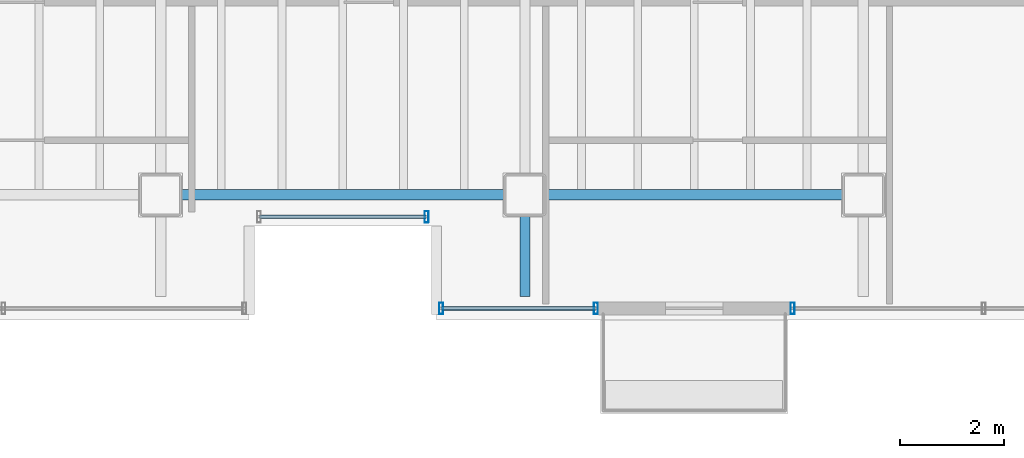
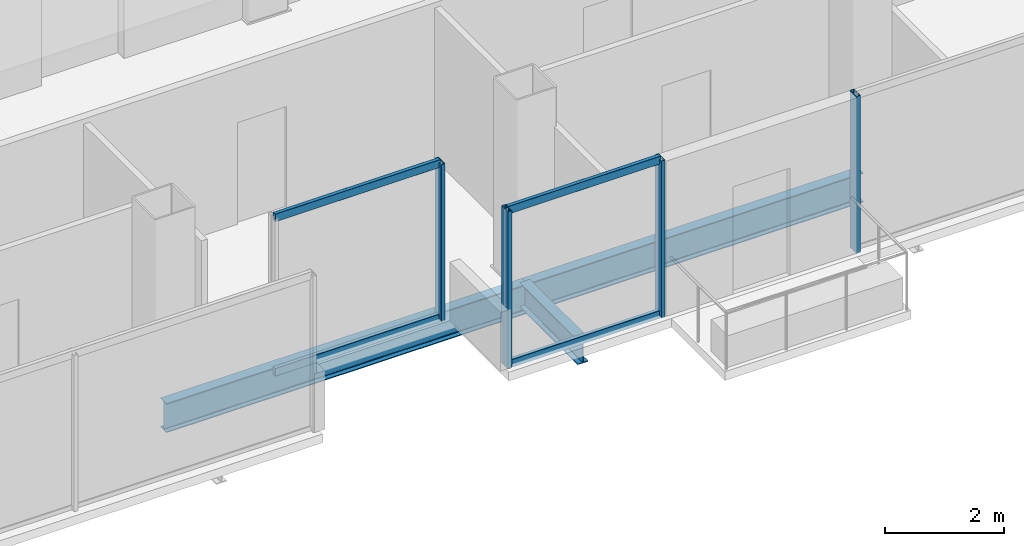
# One storey, part 6 of 17: 8 members, 3 beams, 3 elements without a shape of their own.
"""IFC4 building model written with IfcOpenShell, lengths in metres."""

from ifc_helpers import new_model, si_unit, direction, frame, origin, origin_2d, place, context, subcontext, project, spatial, hollow_rectangle, i_section, extrude, material, material_profile, profile_set, type_object, element, aggregate, save


model = new_model("IFC4")

# Units and contexts
model_context = context("Model", 3, precision=1e-05, world=origin(), true_north=direction((0.0, 1.0)))
body_context = subcontext(model_context, "Body", "Model", "MODEL_VIEW")
ifc_project = project(units=[si_unit("LENGTHUNIT", "METRE"), si_unit("AREAUNIT", "SQUARE_METRE"), si_unit("VOLUMEUNIT", "CUBIC_METRE"), si_unit("PLANEANGLEUNIT", "RADIAN"), si_unit("MASSUNIT", "GRAM", prefix="KILO")], contexts=[model_context])

# Site, building, storey
site_placement = place(None, origin())
site = spatial("IfcSite", under=ifc_project, at=site_placement, CompositionType="ELEMENT")
building_placement = place(site_placement, origin())
building = spatial("IfcBuilding", under=site, at=building_placement, Name="Noeulbin Bourse Tower", CompositionType="ELEMENT")
storey_placement = place(building_placement, frame((0.0, 0.0, 265.699951171875)))
storey = spatial("IfcBuildingStorey", under=building, at=storey_placement, Name="L66", CompositionType="ELEMENT", Elevation=265.699951171875)

# Beams
ifc_material_1 = material(Name="Steel S355", Category="steel")
ifc_material_profile_1 = material_profile(ifc_material_1, i_section(OverallWidth=0.199951171875, OverallDepth=0.5, WebThickness=0.010009765625, FlangeThickness=0.01611328125, FilletRadius=0.02001953125, at=origin_2d()), Name="H-500x200x10x16", Category="LoadBearing")
ifc_profile_set_1 = profile_set([ifc_material_profile_1], Name="Steel S355")
beam_type_1 = type_object("IfcBeamType", Name="BM-GRD-500", PredefinedType="USERDEFINED", material=ifc_profile_set_1)
beam_1_placement = place(storey_placement, frame((31.0, 18.050048828125, -0.429931640625), z_axis=(0.0, 1.0, 0.0), x_axis=(-1.0, 0.0, 0.0)))
element("IfcBeam", 1, at=beam_1_placement, inside=storey, type_object=beam_type_1, Name="Tower Primary Girder NS L66-3.1", ObjectType="GIRDER", PredefinedType="USERDEFINED", context=body_context, shape_type="SweptSolid", body=[
    extrude(i_section(OverallWidth=0.199951171875, OverallDepth=0.5, WebThickness=0.010009765625, FlangeThickness=0.01611328125, FilletRadius=0.02001953125, at=origin_2d()), origin(), (0.0, 0.0, 1.0), 1.949951171875),
])
ifc_material_profile_2 = material_profile(ifc_material_1, i_section(OverallWidth=0.199951171875, OverallDepth=0.60009765625, WebThickness=0.010986328125, FlangeThickness=0.01708984375, FilletRadius=0.02197265625, at=origin_2d()), Name="H-600x200x11x17", Category="LoadBearing")
ifc_profile_set_2 = profile_set([ifc_material_profile_2], Name="Steel S355")
beam_type_2 = type_object("IfcBeamType", Name="BM-GRD-600", PredefinedType="USERDEFINED", material=ifc_profile_set_2)
beam_2_placement = place(storey_placement, frame((24.0, 20.0, -0.47998046875), z_axis=(1.0, 0.0, 0.0), x_axis=(0.0, 1.0, 0.0)))
element("IfcBeam", 2, at=beam_2_placement, inside=storey, type_object=beam_type_2, Name="Tower Primary Girder EW L66-1.2", ObjectType="GIRDER", PredefinedType="USERDEFINED", context=body_context, shape_type="SweptSolid", body=[
    extrude(i_section(OverallWidth=0.199951171875, OverallDepth=0.60009765625, WebThickness=0.010986328125, FlangeThickness=0.01708984375, FilletRadius=0.02197265625, at=origin_2d()), origin(), (0.0, 0.0, 1.0), 7.0),
])
beam_3_placement = place(storey_placement, frame((31.0, 20.0, -0.47998046875), z_axis=(1.0, 0.0, 0.0), x_axis=(0.0, 1.0, 0.0)))
element("IfcBeam", 3, at=beam_3_placement, inside=storey, type_object=beam_type_2, Name="Tower Primary Girder EW L66-1.3", ObjectType="GIRDER", PredefinedType="USERDEFINED", context=body_context, shape_type="SweptSolid", body=[
    extrude(i_section(OverallWidth=0.199951171875, OverallDepth=0.60009765625, WebThickness=0.010986328125, FlangeThickness=0.01708984375, FilletRadius=0.02197265625, at=origin_2d()), origin(), (0.0, 0.0, 1.0), 6.5),
])

# Curtain wall, member
ifc_material_2 = material(Name="High-Selectivity Low-Iron Glazing", Category="glass")
curtain_wall_type = type_object("IfcCurtainWallType", Name="CW-SYS-4", PredefinedType="NOTDEFINED", material=ifc_material_2)
curtain_wall_1_placement = place(storey_placement, origin())
curtain_wall_1 = element("IfcCurtainWall", 4, at=curtain_wall_1_placement, inside=storey, type_object=curtain_wall_type, Name="Unitised Curtain Wall CW-L66-SREC", PredefinedType="NOTDEFINED")
ifc_material_3 = material(Name="Anodised Aluminium 6063-T6", Category="aluminium")
ifc_material_profile_3 = material_profile(ifc_material_3, hollow_rectangle(XDim=0.074951171875, YDim=0.219970703125, WallThickness=0.0048828125, InnerFilletRadius=0.00244140625, OuterFilletRadius=0.0048828125, at=origin_2d()), Name="ALU-MULL-75x220x5", Category="LoadBearing")
ifc_profile_set_3 = profile_set([ifc_material_profile_3], Name="Anodised Aluminium 6063-T6")
member_type_1 = type_object("IfcMemberType", Name="CW-SYS-4-MUL", PredefinedType="MULLION", material=ifc_profile_set_3)
member_1_placement = place(storey_placement, frame((29.110107421875, 19.580078125, -0.02001953125), z_axis=(0.0, 0.0, 1.0), x_axis=(1.0, 0.0, 0.0)))
member_1 = element("IfcMember", 5, at=member_1_placement, type_object=member_type_1, Name="Curtain Wall Mullion CW-L66-SREC-M01", PredefinedType="MULLION", context=body_context, shape_type="SweptSolid", body=[
    extrude(hollow_rectangle(XDim=0.074951171875, YDim=0.219970703125, WallThickness=0.0048828125, InnerFilletRadius=0.00244140625, OuterFilletRadius=0.0048828125, at=origin_2d()), origin(), (0.0, 0.0, 1.0), 3.219970703125),
])

# Curtain wall, members
curtain_wall_2_placement = place(storey_placement, origin())
curtain_wall_2 = element("IfcCurtainWall", 6, at=curtain_wall_2_placement, inside=storey, type_object=curtain_wall_type, Name="Unitised Curtain Wall CW-L66-S2", PredefinedType="NOTDEFINED")
member_2_placement = place(storey_placement, frame((29.389892578125, 17.820068359375, -0.02001953125), z_axis=(0.0, 0.0, 1.0), x_axis=(1.0, 0.0, 0.0)))
member_2 = element("IfcMember", 7, at=member_2_placement, type_object=member_type_1, Name="Curtain Wall Mullion CW-L66-S2-M00", PredefinedType="MULLION", context=body_context, shape_type="SweptSolid", body=[
    extrude(hollow_rectangle(XDim=0.074951171875, YDim=0.219970703125, WallThickness=0.0048828125, InnerFilletRadius=0.00244140625, OuterFilletRadius=0.0048828125, at=origin_2d()), origin(), (0.0, 0.0, 1.0), 3.219970703125),
])
member_3_placement = place(storey_placement, frame((32.360107421875, 17.820068359375, -0.02001953125), z_axis=(0.0, 0.0, 1.0), x_axis=(1.0, 0.0, 0.0)))
member_3 = element("IfcMember", 8, at=member_3_placement, type_object=member_type_1, Name="Curtain Wall Mullion CW-L66-S2-M01", PredefinedType="MULLION", context=body_context, shape_type="SweptSolid", body=[
    extrude(hollow_rectangle(XDim=0.074951171875, YDim=0.219970703125, WallThickness=0.0048828125, InnerFilletRadius=0.00244140625, OuterFilletRadius=0.0048828125, at=origin_2d()), origin(), (0.0, 0.0, 1.0), 3.219970703125),
])

# Curtain wall, member
curtain_wall_3_placement = place(storey_placement, origin())
curtain_wall_3 = element("IfcCurtainWall", 9, at=curtain_wall_3_placement, inside=storey, type_object=curtain_wall_type, Name="Unitised Curtain Wall CW-L66-S3", PredefinedType="NOTDEFINED")
member_4_placement = place(storey_placement, frame((36.139892578125, 17.820068359375, -0.02001953125), z_axis=(0.0, 0.0, 1.0), x_axis=(1.0, 0.0, 0.0)))
member_4 = element("IfcMember", 10, at=member_4_placement, type_object=member_type_1, Name="Curtain Wall Mullion CW-L66-S3-M00", PredefinedType="MULLION", context=body_context, shape_type="SweptSolid", body=[
    extrude(hollow_rectangle(XDim=0.074951171875, YDim=0.219970703125, WallThickness=0.0048828125, InnerFilletRadius=0.00244140625, OuterFilletRadius=0.0048828125, at=origin_2d()), origin(), (0.0, 0.0, 1.0), 3.219970703125),
])
aggregate(curtain_wall_3, [member_4])

# Member
ifc_material_profile_4 = material_profile(ifc_material_3, hollow_rectangle(XDim=0.074951171875, YDim=0.159912109375, WallThickness=0.0048828125, InnerFilletRadius=0.00244140625, OuterFilletRadius=0.0048828125, at=origin_2d()), Name="ALU-TRAN-75x160x5", Category="LoadBearing")
ifc_profile_set_4 = profile_set([ifc_material_profile_4], Name="Anodised Aluminium 6063-T6")
member_type_2 = type_object("IfcMemberType", Name="CW-SYS-4-TRN", PredefinedType="USERDEFINED", material=ifc_profile_set_4)
member_5_placement = place(storey_placement, frame((25.89990234375, 19.580078125, 0.010009765625), z_axis=(1.0, 0.0, 0.0), x_axis=(0.0, 1.0, 0.0)))
member_5 = element("IfcMember", 11, at=member_5_placement, type_object=member_type_2, Name="Curtain Wall Transom CW-L66-SREC-T00", ObjectType="TRANSOM", PredefinedType="USERDEFINED", context=body_context, shape_type="SweptSolid", body=[
    extrude(hollow_rectangle(XDim=0.074951171875, YDim=0.159912109375, WallThickness=0.0048828125, InnerFilletRadius=0.00244140625, OuterFilletRadius=0.0048828125, at=origin_2d()), origin(), (0.0, 0.0, 1.0), 3.2001953125),
])

member_6_placement = place(storey_placement, frame((25.89990234375, 19.580078125, 3.170166015625), z_axis=(1.0, 0.0, 0.0), x_axis=(0.0, 1.0, 0.0)))
member_6 = element("IfcMember", 12, at=member_6_placement, type_object=member_type_2, Name="Curtain Wall Transom CW-L66-SREC-T01", ObjectType="TRANSOM", PredefinedType="USERDEFINED", context=body_context, shape_type="SweptSolid", body=[
    extrude(hollow_rectangle(XDim=0.074951171875, YDim=0.159912109375, WallThickness=0.0048828125, InnerFilletRadius=0.00244140625, OuterFilletRadius=0.0048828125, at=origin_2d()), origin(), (0.0, 0.0, 1.0), 3.2001953125),
])

aggregate(curtain_wall_1, [member_1, member_5, member_6])

member_7_placement = place(storey_placement, frame((29.39990234375, 17.820068359375, 0.010009765625), z_axis=(1.0, 0.0, 0.0), x_axis=(0.0, 1.0, 0.0)))
member_7 = element("IfcMember", 13, at=member_7_placement, type_object=member_type_2, Name="Curtain Wall Transom CW-L66-S2-T00", ObjectType="TRANSOM", PredefinedType="USERDEFINED", context=body_context, shape_type="SweptSolid", body=[
    extrude(hollow_rectangle(XDim=0.074951171875, YDim=0.159912109375, WallThickness=0.0048828125, InnerFilletRadius=0.00244140625, OuterFilletRadius=0.0048828125, at=origin_2d()), origin(), (0.0, 0.0, 1.0), 2.9501953125),
])

member_8_placement = place(storey_placement, frame((29.39990234375, 17.820068359375, 3.170166015625), z_axis=(1.0, 0.0, 0.0), x_axis=(0.0, 1.0, 0.0)))
member_8 = element("IfcMember", 14, at=member_8_placement, type_object=member_type_2, Name="Curtain Wall Transom CW-L66-S2-T01", ObjectType="TRANSOM", PredefinedType="USERDEFINED", context=body_context, shape_type="SweptSolid", body=[
    extrude(hollow_rectangle(XDim=0.074951171875, YDim=0.159912109375, WallThickness=0.0048828125, InnerFilletRadius=0.00244140625, OuterFilletRadius=0.0048828125, at=origin_2d()), origin(), (0.0, 0.0, 1.0), 2.9501953125),
])

aggregate(curtain_wall_2, [member_2, member_3, member_7, member_8])

save(model, "model.ifc")
